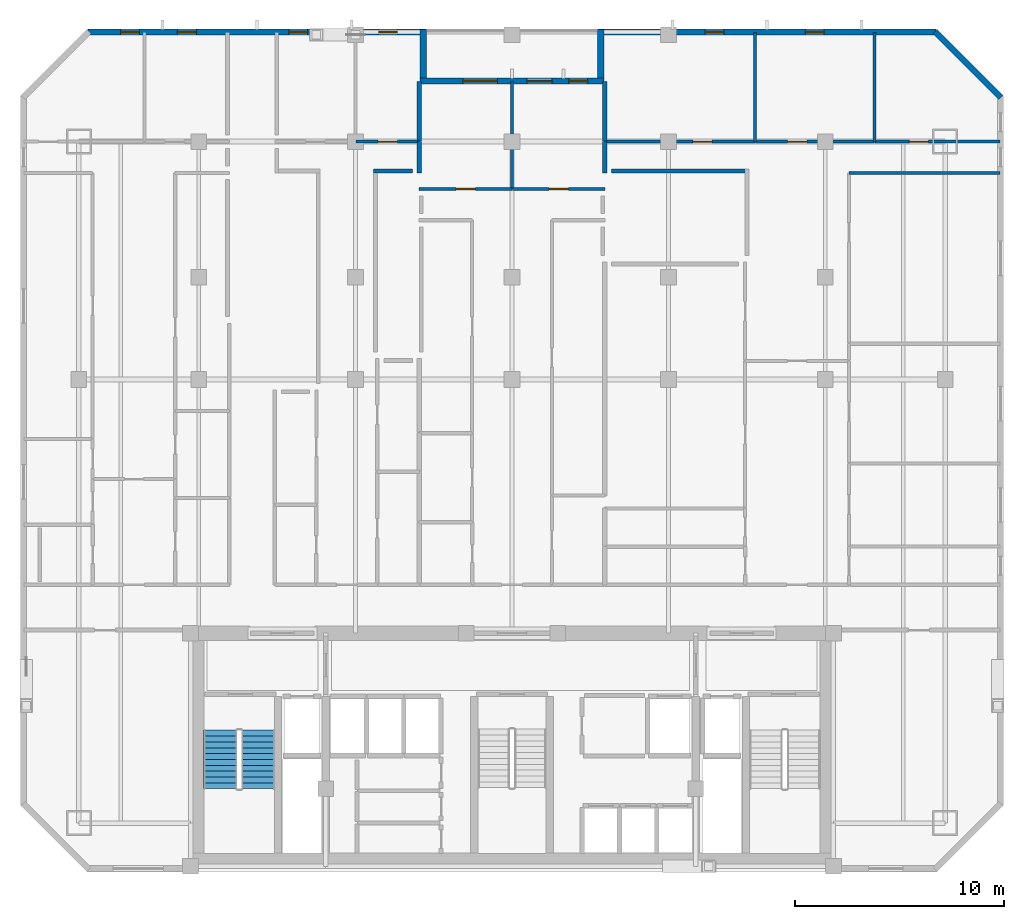
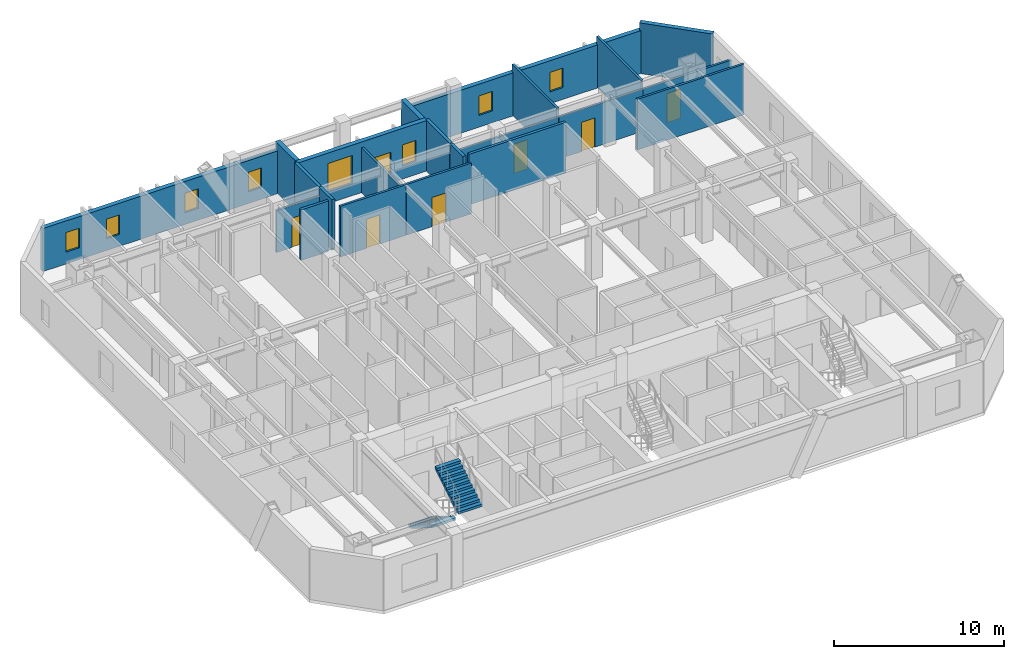
# One storey, part 7 of 9: 22 walls, 8 windows, 7 doors, 2 stair flights, 15 openings, 1 element without a shape of its own.
"""IFC4 building model written with IfcOpenShell, lengths in metres."""

from ifc_helpers import new_model, si_unit, direction, frame, frame_2d, origin, place, context, subcontext, project, spatial, polyline, rectangle, outline, extrude, material, layer, layer_set, type_object, element, fill, aggregate, save


model = new_model("IFC4")

# Units and contexts
model_context = context("Model", 3, precision=1e-05, world=origin(), true_north=direction((0.0, 1.0)))
body_context = subcontext(model_context, "Body", "Model", "MODEL_VIEW")
ifc_project = project(units=[si_unit("LENGTHUNIT", "METRE"), si_unit("AREAUNIT", "SQUARE_METRE"), si_unit("VOLUMEUNIT", "CUBIC_METRE"), si_unit("PLANEANGLEUNIT", "RADIAN"), si_unit("MASSUNIT", "GRAM", prefix="KILO")], contexts=[model_context])

# Site, building, storey
site_placement = place(None, origin())
site = spatial("IfcSite", under=ifc_project, at=site_placement, CompositionType="ELEMENT")
building_placement = place(site_placement, origin())
building = spatial("IfcBuilding", under=site, at=building_placement, Name="Ventersveld Concourse Tower", CompositionType="ELEMENT")
storey_placement = place(building_placement, frame((0.0, 0.0, 172.14990234375)))
storey = spatial("IfcBuildingStorey", under=building, at=storey_placement, Name="L42", CompositionType="ELEMENT", Elevation=172.14990234375)

# Walls
ifc_material_1 = material(Name="Fire-rated autoclaved aerated masonry blockwork", Category="masonry")
ifc_layer_1 = layer(ifc_material_1, 0.179931640625)
ifc_layer_set_1 = layer_set([ifc_layer_1], Name="Fire-rated autoclaved aerated masonry blockwork")
wall_type_1 = type_object("IfcWallType", Name="WL-CORR-180", PredefinedType="PARTITIONING", material=ifc_layer_set_1)
wall_1_placement = place(storey_placement, frame((23.985107421875, 33.590087890625, 0.0), z_axis=(0.0, 0.0, 1.0), x_axis=(-1.0, 0.0, 0.0)))
element("IfcWall", 1, at=wall_1_placement, inside=storey, type_object=wall_type_1, Name="L42 Room Enclosure Wall SP-L42-42CW-LIV", PredefinedType="PARTITIONING", context=body_context, shape_type="SweptSolid", body=[
    extrude(rectangle(XDim=1.8740234375, YDim=0.179931640625, at=frame_2d((0.93701171875, 0.0))), origin(), (0.0, 0.0, 1.0), 3.630126953125),
])
wall_2_placement = place(storey_placement, frame((40.100341796875, 33.590087890625, 0.0), z_axis=(0.0, 0.0, 1.0), x_axis=(-1.0, 0.0, 0.0)))
element("IfcWall", 2, at=wall_2_placement, inside=storey, type_object=wall_type_1, Name="L42 Room Enclosure Wall SP-L42-42CE-LIV", PredefinedType="PARTITIONING", context=body_context, shape_type="SweptSolid", body=[
    extrude(rectangle(XDim=6.58544921875, YDim=0.179931640625, at=frame_2d((3.292724609375, 0.0))), origin(), (0.0, 0.0, 1.0), 3.630126953125),
])
ifc_layer_2 = layer(ifc_material_1, 0.199951171875)
ifc_layer_set_2 = layer_set([ifc_layer_2], Name="Fire-rated autoclaved aerated masonry blockwork")
wall_type_2 = type_object("IfcWallType", Name="WL-DEMISE-200", PredefinedType="PARTITIONING", material=ifc_layer_set_2)
wall_3_placement = place(storey_placement, frame((24.31005859375, 33.4951171875, 0.0), z_axis=(0.0, 0.0, 1.0), x_axis=(0.0, 1.0, 0.0)))
element("IfcWall", 3, at=wall_3_placement, inside=storey, type_object=wall_type_2, Name="L42 Interior Partition SP-L42-42CW-LIV-SP-L42-42CM-BR1", PredefinedType="PARTITIONING", context=body_context, shape_type="SweptSolid", body=[
    extrude(rectangle(XDim=1.509765625, YDim=0.199951171875, at=frame_2d((0.7548828125, 0.0))), origin(), (0.0, 0.0, 1.0), 3.630126953125),
])
wall_4_placement = place(storey_placement, frame((24.31005859375, 35.034912109375, 0.0), z_axis=(0.0, 0.0, 1.0), x_axis=(0.0, 1.0, 0.0)))
element("IfcWall", 4, at=wall_4_placement, inside=storey, type_object=wall_type_2, Name="L42 Interior Partition SP-L42-42CW-BR2-SP-L42-42CM-BR1", PredefinedType="PARTITIONING", context=body_context, shape_type="SweptSolid", body=[
    extrude(rectangle(XDim=2.84814453125, YDim=0.199951171875, at=frame_2d((1.424072265625, 0.0))), origin(), (0.0, 0.0, 1.0), 3.630126953125),
])
wall_5_placement = place(storey_placement, frame((33.18994140625, 33.4951171875, 0.0), z_axis=(0.0, 0.0, 1.0), x_axis=(0.0, 1.0, 0.0)))
element("IfcWall", 5, at=wall_5_placement, inside=storey, type_object=wall_type_2, Name="L42 Interior Partition SP-L42-42CE-LIV-SP-L42-42CM-BR2", PredefinedType="PARTITIONING", context=body_context, shape_type="SweptSolid", body=[
    extrude(rectangle(XDim=1.509765625, YDim=0.199951171875, at=frame_2d((0.7548828125, 0.0))), origin(), (0.0, 0.0, 1.0), 3.630126953125),
])
wall_6_placement = place(storey_placement, frame((33.18994140625, 35.034912109375, 0.0), z_axis=(0.0, 0.0, 1.0), x_axis=(0.0, 1.0, 0.0)))
element("IfcWall", 6, at=wall_6_placement, inside=storey, type_object=wall_type_2, Name="L42 Interior Partition SP-L42-42CE-BR1-SP-L42-42CM-BR2", PredefinedType="PARTITIONING", context=body_context, shape_type="SweptSolid", body=[
    extrude(rectangle(XDim=2.84814453125, YDim=0.199951171875, at=frame_2d((1.424072265625, 0.0))), origin(), (0.0, 0.0, 1.0), 3.630126953125),
])

# Wall, opening, door
ifc_material_2 = material(Name="Autoclaved aerated masonry blockwork", Category="masonry")
ifc_layer_3 = layer(ifc_material_2, 0.14990234375)
ifc_layer_set_3 = layer_set([ifc_layer_3], Name="Autoclaved aerated masonry blockwork")
wall_type_3 = type_object("IfcWallType", Name="WL-INT-150", PredefinedType="PARTITIONING", material=ifc_layer_set_3)
wall_7_placement = place(storey_placement, frame((21.284912109375, 35.0, 0.0), z_axis=(0.0, 0.0, 1.0), x_axis=(1.0, 0.0, 0.0)))
wall_7 = element("IfcWall", 7, at=wall_7_placement, inside=storey, type_object=wall_type_3, Name="L42 Interior Partition SP-L42-42CW-LIV-SP-L42-42CW-BR2", PredefinedType="PARTITIONING", context=body_context, shape_type="SweptSolid", body=[
    extrude(rectangle(XDim=3.030029296875, YDim=0.14990234375, at=frame_2d((1.51513671875, 0.0))), origin(), (0.0, 0.0, 1.0), 3.012939453125),
])
opening_1_placement = place(wall_7_placement, frame((1.054931640625, 0.0, 0.0)))
opening_1 = element("IfcOpeningElement", 8, at=opening_1_placement, cuts=wall_7, Name="Opening ID1", PredefinedType="OPENING", context=body_context, shape_type="SweptSolid", body=[
    extrude(rectangle(XDim=0.919921875, YDim=2.10009765625, at=frame_2d((0.4599609375, 1.050048828125))), frame((0.0, 0.0849609375, 0.0), z_axis=(0.0, -1.0, 0.0), x_axis=(1.0, 0.0, 0.0)), (0.0, 0.0, 1.0), 0.169921875),
])
ifc_material_3 = material(Name="Solid-core hardwood veneer timber", Category="wood")
door_type_1 = type_object("IfcDoorType", Name="DR-ROOM-092", OperationType="NOTDEFINED", PredefinedType="DOOR", material=ifc_material_3)
door_1_placement = place(opening_1_placement, origin())
door_1 = element("IfcDoor", 9, at=door_1_placement, inside=storey, type_object=door_type_1, Name="L42 Interior Door SP-L42-42CW-LIV to SP-L42-42CW-BR2 (D-L42-2072)", OperationType="SINGLE_SWING_RIGHT", OverallHeight=2.10009765625, OverallWidth=0.919921875, PredefinedType="DOOR", context=body_context, shape_type="SweptSolid", body=[
    extrude(rectangle(XDim=0.919921875, YDim=2.10009765625, at=frame_2d((0.4599609375, 1.050048828125))), frame((0.0, 0.02490234375, 0.0), z_axis=(0.0, -1.0, 0.0), x_axis=(1.0, 0.0, 0.0)), (0.0, 0.0, 1.0), 0.050048828125),
])
fill(opening_1, door_1)

# Wall
wall_8_placement = place(storey_placement, frame((44.890380859375, 33.5, 0.0), z_axis=(0.0, 0.0, 1.0), x_axis=(1.0, 0.0, 0.0)))
element("IfcWall", 10, at=wall_8_placement, inside=storey, type_object=wall_type_3, Name="L42 Interior Partition SP-L42-42CE-LIV-SP-L42-42CE-DENS2", PredefinedType="PARTITIONING", context=body_context, shape_type="SweptSolid", body=[
    extrude(rectangle(XDim=7.237060546875, YDim=0.14990234375, at=frame_2d((3.61865234375, 0.0))), origin(), (0.0, 0.0, 1.0), 3.630126953125),
])

# Wall, opening, door
wall_9_placement = place(storey_placement, frame((33.18505859375, 35.0, 0.0), z_axis=(0.0, 0.0, 1.0), x_axis=(1.0, 0.0, 0.0)))
wall_9 = element("IfcWall", 11, at=wall_9_placement, inside=storey, type_object=wall_type_3, Name="L42 Interior Partition SP-L42-42CE-LIV-SP-L42-42CE-BR1", PredefinedType="PARTITIONING", context=body_context, shape_type="SweptSolid", body=[
    extrude(rectangle(XDim=7.212158203125, YDim=0.14990234375, at=frame_2d((3.60595703125, 0.0))), origin(), (0.0, 0.0, 1.0), 3.012939453125),
])
opening_2_placement = place(wall_9_placement, frame((4.227783203125, 0.0, 0.0)))
opening_2 = element("IfcOpeningElement", 12, at=opening_2_placement, cuts=wall_9, Name="Opening ID1", PredefinedType="OPENING", context=body_context, shape_type="SweptSolid", body=[
    extrude(rectangle(XDim=0.919921875, YDim=2.10009765625, at=frame_2d((0.4599609375, 1.050048828125))), frame((0.0, 0.0849609375, 0.0), z_axis=(0.0, -1.0, 0.0), x_axis=(1.0, 0.0, 0.0)), (0.0, 0.0, 1.0), 0.169921875),
])
door_2_placement = place(opening_2_placement, origin())
door_2 = element("IfcDoor", 13, at=door_2_placement, inside=storey, type_object=door_type_1, Name="L42 Interior Door SP-L42-42CE-LIV to SP-L42-42CE-BR1 (D-L42-2082)", OperationType="SINGLE_SWING_RIGHT", OverallHeight=2.10009765625, OverallWidth=0.919921875, PredefinedType="DOOR", context=body_context, shape_type="SweptSolid", body=[
    extrude(rectangle(XDim=0.919921875, YDim=2.10009765625, at=frame_2d((0.4599609375, 1.050048828125))), frame((0.0, 0.02490234375, 0.0), z_axis=(0.0, -1.0, 0.0), x_axis=(1.0, 0.0, 0.0)), (0.0, 0.0, 1.0), 0.050048828125),
])
fill(opening_2, door_2)

wall_10_placement = place(storey_placement, frame((40.427001953125, 35.0, 0.0), z_axis=(0.0, 0.0, 1.0), x_axis=(1.0, 0.0, 0.0)))
wall_10 = element("IfcWall", 14, at=wall_10_placement, inside=storey, type_object=wall_type_3, Name="L42 Interior Partition SP-L42-42CE-LIV-SP-L42-42CE-BR2", PredefinedType="PARTITIONING", context=body_context, shape_type="SweptSolid", body=[
    extrude(rectangle(XDim=5.69384765625, YDim=0.14990234375, at=frame_2d((2.846923828125, 0.0))), origin(), (0.0, 0.0, 1.0), 3.012939453125),
])
opening_3_placement = place(wall_10_placement, frame((1.53271484375, 0.0, 0.0)))
opening_3 = element("IfcOpeningElement", 15, at=opening_3_placement, cuts=wall_10, Name="Opening ID1", PredefinedType="OPENING", context=body_context, shape_type="SweptSolid", body=[
    extrude(rectangle(XDim=0.919921875, YDim=2.10009765625, at=frame_2d((0.4599609375, 1.050048828125))), frame((0.0, 0.0849609375, 0.0), z_axis=(0.0, -1.0, 0.0), x_axis=(1.0, 0.0, 0.0)), (0.0, 0.0, 1.0), 0.169921875),
])
door_3_placement = place(opening_3_placement, origin())
door_3 = element("IfcDoor", 16, at=door_3_placement, inside=storey, type_object=door_type_1, Name="L42 Interior Door SP-L42-42CE-LIV to SP-L42-42CE-BR2 (D-L42-2083)", OperationType="SINGLE_SWING_LEFT", OverallHeight=2.10009765625, OverallWidth=0.919921875, PredefinedType="DOOR", context=body_context, shape_type="SweptSolid", body=[
    extrude(rectangle(XDim=0.919921875, YDim=2.10009765625, at=frame_2d((0.4599609375, 1.050048828125))), frame((0.0, 0.02490234375, 0.0), z_axis=(0.0, -1.0, 0.0), x_axis=(1.0, 0.0, 0.0)), (0.0, 0.0, 1.0), 0.050048828125),
])
fill(opening_3, door_3)

wall_11_placement = place(storey_placement, frame((46.15087890625, 35.0, 0.0), z_axis=(0.0, 0.0, 1.0), x_axis=(1.0, 0.0, 0.0)))
wall_11 = element("IfcWall", 17, at=wall_11_placement, inside=storey, type_object=wall_type_3, Name="L42 Interior Partition SP-L42-42CE-LIV-SP-L42-42CE-BR3", PredefinedType="PARTITIONING", context=body_context, shape_type="SweptSolid", body=[
    extrude(rectangle(XDim=5.9765625, YDim=0.14990234375, at=frame_2d((2.98828125, 0.0))), origin(), (0.0, 0.0, 1.0), 3.012939453125),
])
opening_4_placement = place(wall_11_placement, frame((1.6318359375, 0.0, 0.0)))
opening_4 = element("IfcOpeningElement", 18, at=opening_4_placement, cuts=wall_11, Name="Opening ID1", PredefinedType="OPENING", context=body_context, shape_type="SweptSolid", body=[
    extrude(rectangle(XDim=0.919921875, YDim=2.10009765625, at=frame_2d((0.4599609375, 1.050048828125))), frame((0.0, 0.0849609375, 0.0), z_axis=(0.0, -1.0, 0.0), x_axis=(1.0, 0.0, 0.0)), (0.0, 0.0, 1.0), 0.169921875),
])
door_4_placement = place(opening_4_placement, origin())
door_4 = element("IfcDoor", 19, at=door_4_placement, inside=storey, type_object=door_type_1, Name="L42 Interior Door SP-L42-42CE-LIV to SP-L42-42CE-BR3 (D-L42-2084)", OperationType="SINGLE_SWING_RIGHT", OverallHeight=2.10009765625, OverallWidth=0.919921875, PredefinedType="DOOR", context=body_context, shape_type="SweptSolid", body=[
    extrude(rectangle(XDim=0.919921875, YDim=2.10009765625, at=frame_2d((0.4599609375, 1.050048828125))), frame((0.0, 0.02490234375, 0.0), z_axis=(0.0, -1.0, 0.0), x_axis=(1.0, 0.0, 0.0)), (0.0, 0.0, 1.0), 0.050048828125),
])
fill(opening_4, door_4)

# Walls
for number, where, z_axis, x_axis, name in (
    (20, (40.39208984375, 34.9951171875, 0.0), (0.0, 0.0, 1.0), (0.0, 1.0, 0.0), "L42 Interior Partition SP-L42-42CE-BR1-SP-L42-42CE-BR2"),
    (21, (46.115966796875, 34.9951171875, 0.0), (0.0, 0.0, 1.0), (0.0, 1.0, 0.0), "L42 Interior Partition SP-L42-42CE-BR2-SP-L42-42CE-BR3"),
):
    element("IfcWall", number, at=place(storey_placement, frame(where, z_axis=z_axis, x_axis=x_axis)), inside=storey, type_object=wall_type_3, Name=name, PredefinedType="PARTITIONING", context=body_context, shape_type="SweptSolid", body=[
        extrude(rectangle(XDim=5.232421875, YDim=0.14990234375, at=frame_2d((2.6162109375, 0.0))), origin(), (0.0, 0.0, 1.0), 3.630126953125),
    ])

# Wall, opening, door
wall_12_placement = place(storey_placement, frame((24.304931640625, 32.72998046875, 0.0), z_axis=(0.0, 0.0, 1.0), x_axis=(1.0, 0.0, 0.0)))
wall_12 = element("IfcWall", 22, at=wall_12_placement, inside=storey, type_object=wall_type_3, Name="L42 Interior Partition SP-L42-42CM-LIV-SP-L42-42CM-BR1", PredefinedType="PARTITIONING", context=body_context, shape_type="SweptSolid", body=[
    extrude(rectangle(XDim=4.449951171875, YDim=0.14990234375, at=frame_2d((2.22509765625, 0.0))), origin(), (0.0, 0.0, 1.0), 3.630126953125),
])
opening_5_placement = place(wall_12_placement, frame((1.764892578125, 0.0, 0.0)))
opening_5 = element("IfcOpeningElement", 23, at=opening_5_placement, cuts=wall_12, Name="Opening ID1", PredefinedType="OPENING", context=body_context, shape_type="SweptSolid", body=[
    extrude(rectangle(XDim=0.919921875, YDim=2.10009765625, at=frame_2d((0.4599609375, 1.050048828125))), frame((0.0, 0.0849609375, 0.0), z_axis=(0.0, -1.0, 0.0), x_axis=(1.0, 0.0, 0.0)), (0.0, 0.0, 1.0), 0.169921875),
])
door_5_placement = place(opening_5_placement, origin())
door_5 = element("IfcDoor", 24, at=door_5_placement, inside=storey, type_object=door_type_1, Name="L42 Interior Door SP-L42-42CM-LIV to SP-L42-42CM-BR1 (D-L42-2090)", OperationType="SINGLE_SWING_RIGHT", OverallHeight=2.10009765625, OverallWidth=0.919921875, PredefinedType="DOOR", context=body_context, shape_type="SweptSolid", body=[
    extrude(rectangle(XDim=0.919921875, YDim=2.10009765625, at=frame_2d((0.4599609375, 1.050048828125))), frame((0.0, 0.02490234375, 0.0), z_axis=(0.0, -1.0, 0.0), x_axis=(1.0, 0.0, 0.0)), (0.0, 0.0, 1.0), 0.050048828125),
])
fill(opening_5, door_5)

wall_13_placement = place(storey_placement, frame((28.784912109375, 32.72998046875, 0.0), z_axis=(0.0, 0.0, 1.0), x_axis=(1.0, 0.0, 0.0)))
wall_13 = element("IfcWall", 25, at=wall_13_placement, inside=storey, type_object=wall_type_3, Name="L42 Interior Partition SP-L42-42CM-LIV-SP-L42-42CM-BR2", PredefinedType="PARTITIONING", context=body_context, shape_type="SweptSolid", body=[
    extrude(rectangle(XDim=4.41015625, YDim=0.14990234375, at=frame_2d((2.205078125, 0.0))), origin(), (0.0, 0.0, 1.0), 3.630126953125),
])
opening_6_placement = place(wall_13_placement, frame((1.7451171875, 0.0, 0.0)))
opening_6 = element("IfcOpeningElement", 26, at=opening_6_placement, cuts=wall_13, Name="Opening ID1", PredefinedType="OPENING", context=body_context, shape_type="SweptSolid", body=[
    extrude(rectangle(XDim=0.919921875, YDim=2.10009765625, at=frame_2d((0.4599609375, 1.050048828125))), frame((0.0, 0.0849609375, 0.0), z_axis=(0.0, -1.0, 0.0), x_axis=(1.0, 0.0, 0.0)), (0.0, 0.0, 1.0), 0.169921875),
])
door_6_placement = place(opening_6_placement, origin())
door_6 = element("IfcDoor", 27, at=door_6_placement, inside=storey, type_object=door_type_1, Name="L42 Interior Door SP-L42-42CM-LIV to SP-L42-42CM-BR2 (D-L42-2091)", OperationType="SINGLE_SWING_LEFT", OverallHeight=2.10009765625, OverallWidth=0.919921875, PredefinedType="DOOR", context=body_context, shape_type="SweptSolid", body=[
    extrude(rectangle(XDim=0.919921875, YDim=2.10009765625, at=frame_2d((0.4599609375, 1.050048828125))), frame((0.0, 0.02490234375, 0.0), z_axis=(0.0, -1.0, 0.0), x_axis=(1.0, 0.0, 0.0)), (0.0, 0.0, 1.0), 0.050048828125),
])
fill(opening_6, door_6)

# Walls
wall_14_placement = place(storey_placement, frame((28.75, 32.72509765625, 0.0), z_axis=(0.0, 0.0, 1.0), x_axis=(0.0, 1.0, 0.0)))
element("IfcWall", 28, at=wall_14_placement, inside=storey, type_object=wall_type_3, Name="L42 Interior Partition SP-L42-42CM-BR1-SP-L42-42CM-BR2", PredefinedType="PARTITIONING", context=body_context, shape_type="SweptSolid", body=[
    extrude(rectangle(XDim=5.15234375, YDim=0.14990234375, at=frame_2d((2.576171875, 0.0))), origin(), (0.0, 0.0, 1.0), 3.2236328125),
])
ifc_material_4 = material(Name="Precast concrete C45/55", Category="concrete")
ifc_layer_4 = layer(ifc_material_4, 0.300048828125)
ifc_layer_set_4 = layer_set([ifc_layer_4], Name="Precast concrete C45/55")
wall_type_4 = type_object("IfcWallType", Name="WL-PREC-300", PredefinedType="SOLIDWALL", material=ifc_layer_set_4)
wall_15_placement = place(storey_placement, frame((52.16552734375, 37.122314453125, 0.0), z_axis=(0.0, 0.0, 1.0), x_axis=(-0.707106781187, 0.707106781187, 0.0)))
element("IfcWall", 29, at=wall_15_placement, inside=storey, type_object=wall_type_4, Name="L42 Highveld Precast Facade Wall E04", PredefinedType="SOLIDWALL", context=body_context, shape_type="SweptSolid", body=[
    extrude(rectangle(XDim=4.4453125, YDim=0.300048828125, at=frame_2d((2.22265625, 0.0))), origin(), (0.0, 0.0, 1.0), 3.630126953125),
])

# Wall, openings, windows
wall_16_placement = place(storey_placement, frame((49.06005859375, 40.25, 0.0), z_axis=(0.0, 0.0, 1.0), x_axis=(-1.0, 0.0, 0.0)))
wall_16 = element("IfcWall", 30, at=wall_16_placement, inside=storey, type_object=wall_type_4, Name="L42 Highveld Precast Facade Wall E05", PredefinedType="SOLIDWALL", context=body_context, shape_type="SweptSolid", body=[
    extrude(rectangle(XDim=16.170166015625, YDim=0.300048828125, at=frame_2d((8.0849609375, 0.0))), origin(), (0.0, 0.0, 1.0), 3.085693359375),
])
opening_7_placement = place(wall_16_placement, frame((10.155517578125, 0.0, 0.85009765625)))
opening_7 = element("IfcOpeningElement", 31, at=opening_7_placement, cuts=wall_16, Name="Opening W8", PredefinedType="OPENING", context=body_context, shape_type="SweptSolid", body=[
    extrude(rectangle(XDim=0.89990234375, YDim=1.39990234375, at=frame_2d((0.449951171875, 0.699951171875))), frame((0.0, 0.16015625, 0.0), z_axis=(0.0, -1.0, 0.0), x_axis=(1.0, 0.0, 0.0)), (0.0, 0.0, 1.0), 0.320068359375),
])
opening_8_placement = place(wall_16_placement, frame((5.35595703125, 0.0, 0.85009765625)))
opening_8 = element("IfcOpeningElement", 32, at=opening_8_placement, cuts=wall_16, Name="Opening W8", PredefinedType="OPENING", context=body_context, shape_type="SweptSolid", body=[
    extrude(rectangle(XDim=0.89990234375, YDim=1.39990234375, at=frame_2d((0.449951171875, 0.699951171875))), frame((0.0, 0.16015625, 0.0), z_axis=(0.0, -1.0, 0.0), x_axis=(1.0, 0.0, 0.0)), (0.0, 0.0, 1.0), 0.320068359375),
])
ifc_material_5 = material(Name="Tempered acoustic Low-E IGU", Category="glass")
window_type_1 = type_object("IfcWindowType", Name="WIN-090x140", PartitioningType="SINGLE_PANEL", PredefinedType="WINDOW", material=ifc_material_5)
window_1_placement = place(opening_7_placement, origin())
window_1 = element("IfcWindow", 33, at=window_1_placement, inside=storey, type_object=window_type_1, Name="L42 Punched Low-E Window W-0577", OverallHeight=1.39990234375, OverallWidth=0.89990234375, PartitioningType="SINGLE_PANEL", PredefinedType="WINDOW", context=body_context, shape_type="SweptSolid", body=[
    extrude(rectangle(XDim=0.89990234375, YDim=1.39990234375, at=frame_2d((0.449951171875, 0.699951171875))), frame((0.0, 0.030029296875, 0.0), z_axis=(0.0, -1.0, 0.0), x_axis=(1.0, 0.0, 0.0)), (0.0, 0.0, 1.0), 0.06005859375),
])
fill(opening_7, window_1)
window_2_placement = place(opening_8_placement, origin())
window_2 = element("IfcWindow", 34, at=window_2_placement, inside=storey, type_object=window_type_1, Name="L42 Punched Low-E Window W-0578", OverallHeight=1.39990234375, OverallWidth=0.89990234375, PartitioningType="SINGLE_PANEL", PredefinedType="WINDOW", context=body_context, shape_type="SweptSolid", body=[
    extrude(rectangle(XDim=0.89990234375, YDim=1.39990234375, at=frame_2d((0.449951171875, 0.699951171875))), frame((0.0, 0.030029296875, 0.0), z_axis=(0.0, -1.0, 0.0), x_axis=(1.0, 0.0, 0.0)), (0.0, 0.0, 1.0), 0.06005859375),
])
fill(opening_8, window_2)

# Wall
wall_17_placement = place(storey_placement, frame((33.0, 40.360107421875, 0.0), z_axis=(0.0, 0.0, 1.0), x_axis=(0.0, -1.0, 0.0)))
element("IfcWall", 35, at=wall_17_placement, inside=storey, type_object=wall_type_4, Name="L42 Highveld Precast Facade Wall E06", PredefinedType="SOLIDWALL", context=body_context, shape_type="SweptSolid", body=[
    extrude(rectangle(XDim=2.31005859375, YDim=0.300048828125, at=frame_2d((1.155029296875, 0.0))), origin(), (0.0, 0.0, 1.0), 3.630126953125),
])

# Wall, openings, door, windows
wall_18_placement = place(storey_placement, frame((33.14990234375, 37.89990234375, 0.0), z_axis=(0.0, 0.0, 1.0), x_axis=(-1.0, 0.0, 0.0)))
wall_18 = element("IfcWall", 36, at=wall_18_placement, inside=storey, type_object=wall_type_4, Name="L42 Highveld Precast Facade Wall E07", PredefinedType="SOLIDWALL", context=body_context, shape_type="SweptSolid", body=[
    extrude(rectangle(XDim=8.7998046875, YDim=0.300048828125, at=frame_2d((4.39990234375, 0.0))), origin(), (0.0, 0.0, 1.0), 3.630126953125),
])
opening_9_placement = place(wall_18_placement, frame((2.47998046875, 0.0, 0.0)))
opening_9 = element("IfcOpeningElement", 37, at=opening_9_placement, cuts=wall_18, Name="Opening TD1", PredefinedType="OPENING", context=body_context, shape_type="SweptSolid", body=[
    extrude(rectangle(XDim=1.199951171875, YDim=2.199951171875, at=frame_2d((0.60009765625, 1.10009765625))), frame((0.0, 0.16015625, 0.0), z_axis=(0.0, -1.0, 0.0), x_axis=(1.0, 0.0, 0.0)), (0.0, 0.0, 1.0), 0.320068359375),
])
opening_10_placement = place(wall_18_placement, frame((5.1005859375, 0.0, 0.8798828125)))
opening_10 = element("IfcOpeningElement", 38, at=opening_10_placement, cuts=wall_18, Name="Opening W6", PredefinedType="OPENING", context=body_context, shape_type="SweptSolid", body=[
    extrude(rectangle(XDim=1.64990234375, YDim=2.0, at=frame_2d((0.824951171875, 1.0))), frame((0.0, 0.16015625, 0.0), z_axis=(0.0, -1.0, 0.0), x_axis=(1.0, 0.0, 0.0)), (0.0, 0.0, 1.0), 0.320068359375),
])
opening_11_placement = place(wall_18_placement, frame((0.780029296875, 0.0, 0.949951171875)))
opening_11 = element("IfcOpeningElement", 39, at=opening_11_placement, cuts=wall_18, Name="Opening W4", PredefinedType="OPENING", context=body_context, shape_type="SweptSolid", body=[
    extrude(rectangle(XDim=0.89990234375, YDim=1.5, at=frame_2d((0.449951171875, 0.75))), frame((0.0, 0.16015625, 0.0), z_axis=(0.0, -1.0, 0.0), x_axis=(1.0, 0.0, 0.0)), (0.0, 0.0, 1.0), 0.320068359375),
])
ifc_material_6 = material(Name="Anodised aluminium EN AW-6063-T6", Category="aluminium")
door_type_2 = type_object("IfcDoorType", Name="DR-TERR-120", OperationType="NOTDEFINED", PredefinedType="DOOR", material=ifc_material_6)
door_7_placement = place(opening_9_placement, frame((1.199951171875, 0.0, 0.0), z_axis=(0.0, 0.0, 1.0), x_axis=(-1.0, 0.0, 0.0)))
door_7 = element("IfcDoor", 40, at=door_7_placement, inside=storey, type_object=door_type_2, Name="L42 Stepped Valley Terrace Door TD-L42-01", OperationType="SINGLE_SWING_LEFT", OverallHeight=2.199951171875, OverallWidth=1.199951171875, PredefinedType="DOOR", context=body_context, shape_type="SweptSolid", body=[
    extrude(rectangle(XDim=1.199951171875, YDim=2.199951171875, at=frame_2d((0.60009765625, 1.10009765625))), frame((0.0, 0.02490234375, 0.0), z_axis=(0.0, -1.0, 0.0), x_axis=(1.0, 0.0, 0.0)), (0.0, 0.0, 1.0), 0.050048828125),
])
fill(opening_9, door_7)
window_type_2 = type_object("IfcWindowType", Name="WIN-090x150", PartitioningType="SINGLE_PANEL", PredefinedType="WINDOW", material=ifc_material_5)
window_3_placement = place(opening_11_placement, origin())
window_3 = element("IfcWindow", 41, at=window_3_placement, inside=storey, type_object=window_type_2, Name="L42 Punched Low-E Window W-0581", OverallHeight=1.5, OverallWidth=0.89990234375, PartitioningType="SINGLE_PANEL", PredefinedType="WINDOW", context=body_context, shape_type="SweptSolid", body=[
    extrude(rectangle(XDim=0.89990234375, YDim=1.5, at=frame_2d((0.449951171875, 0.75))), frame((0.0, 0.030029296875, 0.0), z_axis=(0.0, -1.0, 0.0), x_axis=(1.0, 0.0, 0.0)), (0.0, 0.0, 1.0), 0.06005859375),
])
fill(opening_11, window_3)
window_type_3 = type_object("IfcWindowType", Name="WIN-165x200", PartitioningType="SINGLE_PANEL", PredefinedType="WINDOW", material=ifc_material_5)
window_4_placement = place(opening_10_placement, origin())
window_4 = element("IfcWindow", 42, at=window_4_placement, inside=storey, type_object=window_type_3, Name="L42 Punched Low-E Window W-0580", OverallHeight=2.0, OverallWidth=1.64990234375, PartitioningType="SINGLE_PANEL", PredefinedType="WINDOW", context=body_context, shape_type="SweptSolid", body=[
    extrude(rectangle(XDim=1.64990234375, YDim=2.0, at=frame_2d((0.824951171875, 1.0))), frame((0.0, 0.030029296875, 0.0), z_axis=(0.0, -1.0, 0.0), x_axis=(1.0, 0.0, 0.0)), (0.0, 0.0, 1.0), 0.06005859375),
])
fill(opening_10, window_4)

# Wall
wall_19_placement = place(storey_placement, frame((24.5, 38.050048828125, 0.0), z_axis=(0.0, 0.0, 1.0), x_axis=(0.0, 1.0, 0.0)))
element("IfcWall", 43, at=wall_19_placement, inside=storey, type_object=wall_type_4, Name="L42 Highveld Precast Facade Wall E08", PredefinedType="SOLIDWALL", context=body_context, shape_type="SweptSolid", body=[
    extrude(rectangle(XDim=2.31005859375, YDim=0.300048828125, at=frame_2d((1.155029296875, 0.0))), origin(), (0.0, 0.0, 1.0), 3.630126953125),
])

# Wall, openings, windows
wall_20_placement = place(storey_placement, frame((24.610107421875, 40.25, 0.0), z_axis=(0.0, 0.0, 1.0), x_axis=(-1.0, 0.0, 0.0)))
wall_20 = element("IfcWall", 44, at=wall_20_placement, inside=storey, type_object=wall_type_4, Name="L42 Highveld Precast Facade Wall E09", PredefinedType="SOLIDWALL", context=body_context, shape_type="SweptSolid", body=[
    extrude(rectangle(XDim=16.170166015625, YDim=0.300048828125, at=frame_2d((8.0849609375, 0.0))), origin(), (0.0, 0.0, 1.0), 3.085693359375),
])
opening_12_placement = place(wall_20_placement, frame((13.71435546875, 0.0, 0.85009765625)))
opening_12 = element("IfcOpeningElement", 45, at=opening_12_placement, cuts=wall_20, Name="Opening W8", PredefinedType="OPENING", context=body_context, shape_type="SweptSolid", body=[
    extrude(rectangle(XDim=0.89990234375, YDim=1.39990234375, at=frame_2d((0.449951171875, 0.699951171875))), frame((0.0, 0.16015625, 0.0), z_axis=(0.0, -1.0, 0.0), x_axis=(1.0, 0.0, 0.0)), (0.0, 0.0, 1.0), 0.320068359375),
])
opening_13_placement = place(wall_20_placement, frame((10.985595703125, 0.0, 0.85009765625)))
opening_13 = element("IfcOpeningElement", 46, at=opening_13_placement, cuts=wall_20, Name="Opening W8", PredefinedType="OPENING", context=body_context, shape_type="SweptSolid", body=[
    extrude(rectangle(XDim=0.89990234375, YDim=1.39990234375, at=frame_2d((0.449951171875, 0.699951171875))), frame((0.0, 0.16015625, 0.0), z_axis=(0.0, -1.0, 0.0), x_axis=(1.0, 0.0, 0.0)), (0.0, 0.0, 1.0), 0.320068359375),
])
opening_14_placement = place(wall_20_placement, frame((5.647705078125, 0.0, 0.85009765625)))
opening_14 = element("IfcOpeningElement", 47, at=opening_14_placement, cuts=wall_20, Name="Opening W8", PredefinedType="OPENING", context=body_context, shape_type="SweptSolid", body=[
    extrude(rectangle(XDim=0.89990234375, YDim=1.39990234375, at=frame_2d((0.449951171875, 0.699951171875))), frame((0.0, 0.16015625, 0.0), z_axis=(0.0, -1.0, 0.0), x_axis=(1.0, 0.0, 0.0)), (0.0, 0.0, 1.0), 0.320068359375),
])
opening_15_placement = place(wall_20_placement, frame((1.350341796875, 0.0, 0.85009765625)))
opening_15 = element("IfcOpeningElement", 48, at=opening_15_placement, cuts=wall_20, Name="Opening W8", PredefinedType="OPENING", context=body_context, shape_type="SweptSolid", body=[
    extrude(rectangle(XDim=0.89990234375, YDim=1.39990234375, at=frame_2d((0.449951171875, 0.699951171875))), frame((0.0, 0.16015625, 0.0), z_axis=(0.0, -1.0, 0.0), x_axis=(1.0, 0.0, 0.0)), (0.0, 0.0, 1.0), 0.320068359375),
])
window_5_placement = place(opening_12_placement, origin())
window_5 = element("IfcWindow", 49, at=window_5_placement, inside=storey, type_object=window_type_1, Name="L42 Punched Low-E Window W-0568", OverallHeight=1.39990234375, OverallWidth=0.89990234375, PartitioningType="SINGLE_PANEL", PredefinedType="WINDOW", context=body_context, shape_type="SweptSolid", body=[
    extrude(rectangle(XDim=0.89990234375, YDim=1.39990234375, at=frame_2d((0.449951171875, 0.699951171875))), frame((0.0, 0.030029296875, 0.0), z_axis=(0.0, -1.0, 0.0), x_axis=(1.0, 0.0, 0.0)), (0.0, 0.0, 1.0), 0.06005859375),
])
fill(opening_12, window_5)
window_6_placement = place(opening_13_placement, origin())
window_6 = element("IfcWindow", 50, at=window_6_placement, inside=storey, type_object=window_type_1, Name="L42 Punched Low-E Window W-0569", OverallHeight=1.39990234375, OverallWidth=0.89990234375, PartitioningType="SINGLE_PANEL", PredefinedType="WINDOW", context=body_context, shape_type="SweptSolid", body=[
    extrude(rectangle(XDim=0.89990234375, YDim=1.39990234375, at=frame_2d((0.449951171875, 0.699951171875))), frame((0.0, 0.030029296875, 0.0), z_axis=(0.0, -1.0, 0.0), x_axis=(1.0, 0.0, 0.0)), (0.0, 0.0, 1.0), 0.06005859375),
])
fill(opening_13, window_6)
window_7_placement = place(opening_14_placement, origin())
window_7 = element("IfcWindow", 51, at=window_7_placement, inside=storey, type_object=window_type_1, Name="L42 Punched Low-E Window W-0570", OverallHeight=1.39990234375, OverallWidth=0.89990234375, PartitioningType="SINGLE_PANEL", PredefinedType="WINDOW", context=body_context, shape_type="SweptSolid", body=[
    extrude(rectangle(XDim=0.89990234375, YDim=1.39990234375, at=frame_2d((0.449951171875, 0.699951171875))), frame((0.0, 0.030029296875, 0.0), z_axis=(0.0, -1.0, 0.0), x_axis=(1.0, 0.0, 0.0)), (0.0, 0.0, 1.0), 0.06005859375),
])
fill(opening_14, window_7)
window_8_placement = place(opening_15_placement, origin())
window_8 = element("IfcWindow", 52, at=window_8_placement, inside=storey, type_object=window_type_1, Name="L42 Punched Low-E Window W-0571", OverallHeight=1.39990234375, OverallWidth=0.89990234375, PartitioningType="SINGLE_PANEL", PredefinedType="WINDOW", context=body_context, shape_type="SweptSolid", body=[
    extrude(rectangle(XDim=0.89990234375, YDim=1.39990234375, at=frame_2d((0.449951171875, 0.699951171875))), frame((0.0, 0.030029296875, 0.0), z_axis=(0.0, -1.0, 0.0), x_axis=(1.0, 0.0, 0.0)), (0.0, 0.0, 1.0), 0.06005859375),
])
fill(opening_15, window_8)

# Stair, stair flights
ifc_material_7 = material(Name="Concrete C50/60", Category="concrete")
stair_type = type_object("IfcStairType", Name="ST-DOG-160", PredefinedType="HALF_TURN_STAIR", material=ifc_material_7)
stair_placement = place(storey_placement, origin())
stair = element("IfcStair", 53, at=stair_placement, inside=storey, type_object=stair_type, Name="L42 Protected Tower Escape Stair ST-01", PredefinedType="HALF_TURN_STAIR")
stair_flight_type = type_object("IfcStairFlightType", Name="STF-RC-160", PredefinedType="STRAIGHT", material=ifc_material_7)
stair_flight_1_placement = place(storey_placement, frame((14.780029296875, 6.800048828125, 0.0), z_axis=(0.0, 0.0, 1.0), x_axis=(0.0, -1.0, 0.0)))
stair_flight_1 = element("IfcStairFlight", 54, at=stair_flight_1_placement, type_object=stair_flight_type, Name="ST-01 flight 1", NumberOfRisers=11, NumberOfTreads=10, PredefinedType="STRAIGHT", RiserHeight=0.175, TreadLength=0.28, context=body_context, shape_type="SweptSolid", body=[
    extrude(outline(polyline([(0.0, 0.0), (0.0, 0.175048828125), (0.280029296875, 0.175048828125), (0.280029296875, 0.35009765625), (0.56005859375, 0.35009765625), (0.56005859375, 0.52490234375), (0.840087890625, 0.52490234375), (0.840087890625, 0.699951171875), (1.1201171875, 0.699951171875), (1.1201171875, 0.875), (1.39990234375, 0.875), (1.39990234375, 1.050048828125), (1.679931640625, 1.050048828125), (1.679931640625, 1.22509765625), (1.9599609375, 1.22509765625), (1.9599609375, 1.39990234375), (2.239990234375, 1.39990234375), (2.239990234375, 1.574951171875), (2.52001953125, 1.574951171875), (2.52001953125, 1.75), (2.800048828125, 1.75), (2.800048828125, 1.925048828125), (2.800048828125, 1.5732421875), (0.28271484375, 0.0), (0.0, 0.0)])), frame((0.0, 0.800048828125, 0.0), z_axis=(0.0, -1.0, 0.0), x_axis=(1.0, 0.0, 0.0)), (0.0, 0.0, 1.0), 1.60009765625),
])
stair_flight_2_placement = place(storey_placement, frame((16.580078125, 4.0, 1.925048828125), z_axis=(0.0, 0.0, 1.0), x_axis=(0.0, 1.0, 0.0)))
stair_flight_2 = element("IfcStairFlight", 55, at=stair_flight_2_placement, type_object=stair_flight_type, Name="ST-01 flight 2", NumberOfRisers=11, NumberOfTreads=10, PredefinedType="STRAIGHT", RiserHeight=0.175, TreadLength=0.28, context=body_context, shape_type="SweptSolid", body=[
    extrude(outline(polyline([(0.0, 0.0), (0.0, 0.175048828125), (0.280029296875, 0.175048828125), (0.280029296875, 0.35009765625), (0.56005859375, 0.35009765625), (0.56005859375, 0.52490234375), (0.840087890625, 0.52490234375), (0.840087890625, 0.699951171875), (1.1201171875, 0.699951171875), (1.1201171875, 0.875), (1.39990234375, 0.875), (1.39990234375, 1.050048828125), (1.679931640625, 1.050048828125), (1.679931640625, 1.22509765625), (1.9599609375, 1.22509765625), (1.9599609375, 1.39990234375), (2.239990234375, 1.39990234375), (2.239990234375, 1.574951171875), (2.52001953125, 1.574951171875), (2.52001953125, 1.75), (2.800048828125, 1.75), (2.800048828125, 1.925048828125), (2.800048828125, 1.5732421875), (0.28271484375, 0.0), (0.0, 0.0)])), frame((0.0, 0.800048828125, 0.0), z_axis=(0.0, -1.0, 0.0), x_axis=(1.0, 0.0, 0.0)), (0.0, 0.0, 1.0), 1.60009765625),
])
aggregate(stair, [stair_flight_1, stair_flight_2])

save(model, "model.ifc")
